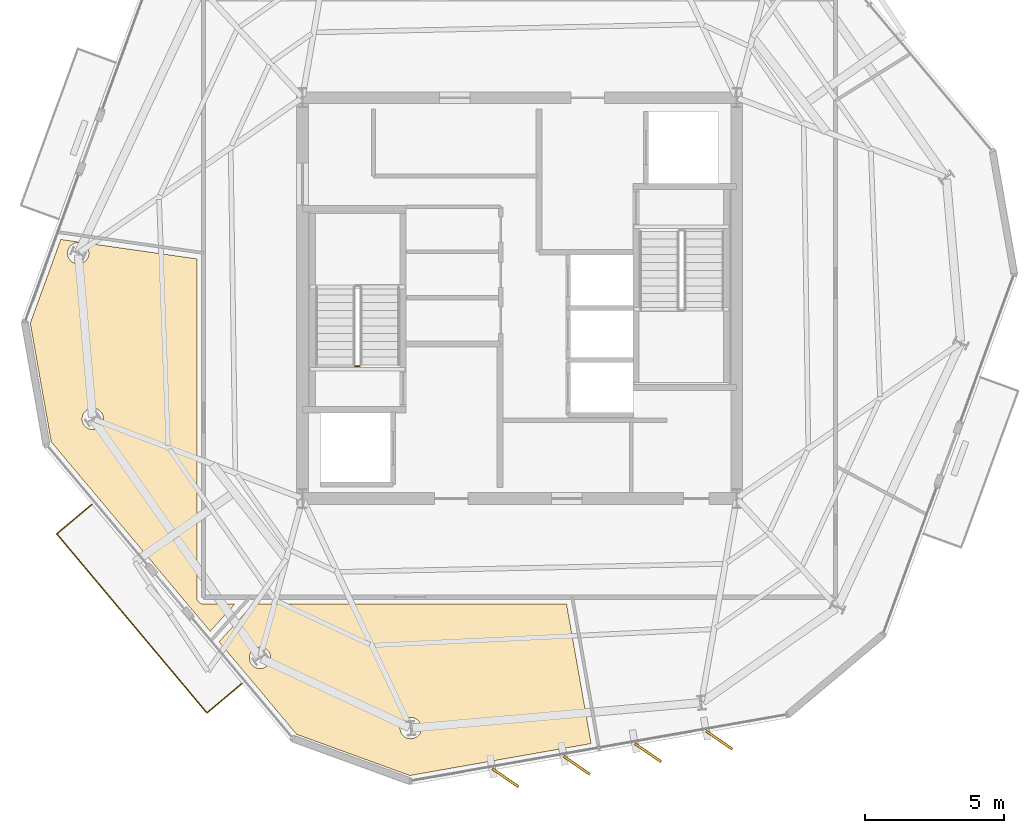
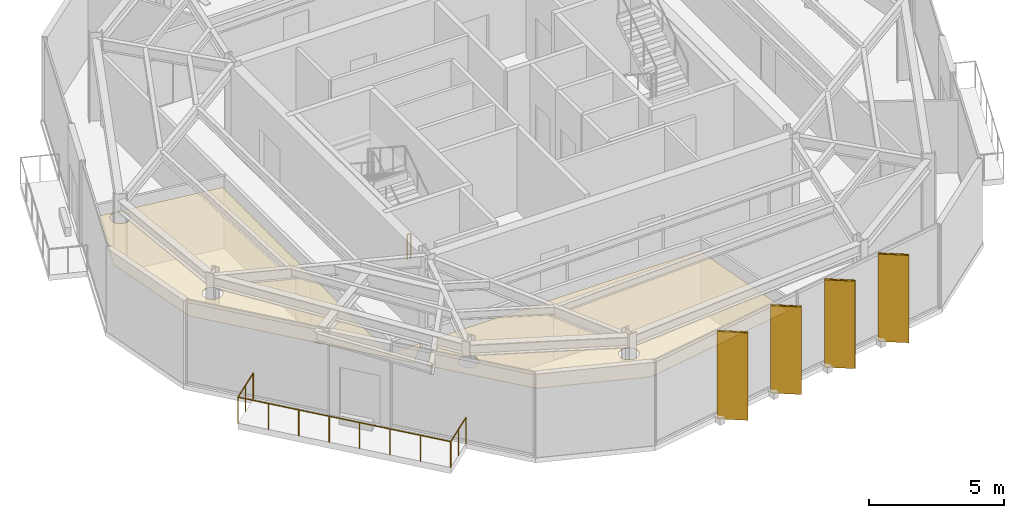
# One storey, part 9 of 11: 6 coverings, 4 shading devices, 2 railings.
"""IFC4 building model written with IfcOpenShell, lengths in metres."""

from ifc_helpers import new_model, si_unit, direction, frame, origin, origin_2d, place, context, subcontext, project, spatial, polyline, rectangle, circle, outline, extrude, material, layer, layer_set, type_object, element, save


model = new_model("IFC4")

# Units and contexts
model_context = context("Model", 3, precision=1e-05, world=origin(), true_north=direction((0.0, 1.0)))
body_context = subcontext(model_context, "Body", "Model", "MODEL_VIEW")
ifc_project = project(units=[si_unit("LENGTHUNIT", "METRE"), si_unit("AREAUNIT", "SQUARE_METRE"), si_unit("VOLUMEUNIT", "CUBIC_METRE"), si_unit("PLANEANGLEUNIT", "RADIAN"), si_unit("MASSUNIT", "GRAM", prefix="KILO")], contexts=[model_context])

# Site, building, storey
site_placement = place(None, origin())
site = spatial("IfcSite", under=ifc_project, at=site_placement, CompositionType="ELEMENT")
building_placement = place(site_placement, origin())
building = spatial("IfcBuilding", under=site, at=building_placement, Name="Kranzbogen Civic Tower", CompositionType="ELEMENT")
storey_placement = place(building_placement, frame((0.0, 0.0, 306.199951171875)))
storey = spatial("IfcBuildingStorey", under=building, at=storey_placement, Name="L74", CompositionType="ELEMENT", Elevation=306.199951171875)

# Coverings
ifc_material_1 = material(Name="Pale Anodised Aluminium", Category="aluminium")
ifc_layer_1 = layer(ifc_material_1, 0.02490234375, Name="Pale Anodised Aluminium")
ifc_layer_set_1 = layer_set([ifc_layer_1], Name="Pale Anodised Aluminium")
covering_type_1 = type_object("IfcCoveringType", Name="Anodised Aluminium Vertical Fin Cladding 25 mm", PredefinedType="CLADDING", material=ifc_layer_set_1)
for number, where, z_axis, x_axis, name in (
    (1, (24.4951171875, 7.762939453125, -0.139892578125), (0.0, 0.0, 1.0), (0.822838933425, -0.568274660389, 0.0), "L74 vertical fin pale-metal cladding F4-1"),
    (2, (27.054931640625, 8.214111328125, -0.139892578125), (0.0, 0.0, 1.0), (0.822838933425, -0.568274660389, 0.0), "L74 vertical fin pale-metal cladding F4-2"),
    (3, (29.615966796875, 8.666015625, -0.139892578125), (0.0, 0.0, 1.0), (0.822838933425, -0.568274660389, 0.0), "L74 vertical fin pale-metal cladding F4-3"),
    (4, (32.176025390625, 9.116943359375, -0.139892578125), (0.0, 0.0, 1.0), (0.822838933425, -0.568274660389, 0.0), "L74 vertical fin pale-metal cladding F4-4"),
):
    element("IfcCovering", number, at=place(storey_placement, frame(where, z_axis=z_axis, x_axis=x_axis)), inside=storey, type_object=covering_type_1, Name=name, PredefinedType="CLADDING", context=body_context, shape_type="SweptSolid", body=[
        extrude(rectangle(XDim=1.14990234375, YDim=0.094970703125, at=origin_2d()), origin(), (0.0, 0.0, 1.0), 3.9599609375),
    ])

# Railings
ifc_material_2 = material(Name="Anodised Bronze Aluminium", Category="aluminium")
railing_type_1 = type_object("IfcRailingType", Name="Cantilevered Balcony Glass and Bronze Balustrade 1200", PredefinedType="BALUSTRADE", material=ifc_material_2)
railing_1_placement = place(storey_placement, frame((9.635009765625, 17.590087890625, 0.0)))
element("IfcRailing", 5, at=railing_1_placement, inside=storey, type_object=railing_type_1, Name="L74 exterior terrace balustrade L74-ST", PredefinedType="BALUSTRADE", context=body_context, shape_type="SweptSolid", body=[
    extrude(circle(Radius=0.02392578125, at=origin_2d()), frame((0.0, 0.0, 1.17578125), z_axis=(-0.765900097401, -0.642959594998, 0.0), x_axis=(0.642959594998, -0.765900097401, 0.0)), (0.0, 0.0, 1.0), 1.650146484375),
    extrude(circle(Radius=0.02392578125, at=origin_2d()), frame((-1.263916015625, -1.06103515625, 1.17578125), z_axis=(0.642736644006, -0.766087205513, 0.0), x_axis=(0.766087205513, 0.642736644006, 0.0)), (0.0, 0.0, 1.0), 8.39990234375),
    extrude(circle(Radius=0.02392578125, at=origin_2d()), frame((4.135009765625, -7.49609375, 1.17578125), z_axis=(0.765900097401, 0.642959594998, 0.0), x_axis=(-0.642959594998, 0.765900097401, 0.0)), (0.0, 0.0, 1.0), 1.650146484375),
    extrude(circle(Radius=0.02099609375, at=origin_2d()), origin(), (0.0, 0.0, 1.0), 1.15185546875),
    extrude(circle(Radius=0.02099609375, at=origin_2d()), frame((-0.6318359375, -0.530517578125, 0.0)), (0.0, 0.0, 1.0), 1.15185546875),
    extrude(circle(Radius=0.02099609375, at=origin_2d()), frame((-1.263916015625, -1.06103515625, 0.0)), (0.0, 0.0, 1.0), 1.15185546875),
    extrude(circle(Radius=0.02099609375, at=origin_2d()), frame((-0.49267578125, -1.980224609375, 0.0)), (0.0, 0.0, 1.0), 1.15185546875),
    extrude(circle(Radius=0.02099609375, at=origin_2d()), frame((0.278564453125, -2.899658203125, 0.0)), (0.0, 0.0, 1.0), 1.15185546875),
    extrude(circle(Radius=0.02099609375, at=origin_2d()), frame((1.0498046875, -3.81884765625, 0.0)), (0.0, 0.0, 1.0), 1.15185546875),
    extrude(circle(Radius=0.02099609375, at=origin_2d()), frame((1.8212890625, -4.73828125, 0.0)), (0.0, 0.0, 1.0), 1.15185546875),
    extrude(circle(Radius=0.02099609375, at=origin_2d()), frame((2.592529296875, -5.657470703125, 0.0)), (0.0, 0.0, 1.0), 1.15185546875),
    extrude(circle(Radius=0.02099609375, at=origin_2d()), frame((3.36376953125, -6.576904296875, 0.0)), (0.0, 0.0, 1.0), 1.15185546875),
    extrude(circle(Radius=0.02099609375, at=origin_2d()), frame((4.135009765625, -7.49609375, 0.0)), (0.0, 0.0, 1.0), 1.15185546875),
    extrude(circle(Radius=0.02099609375, at=origin_2d()), frame((4.76708984375, -6.965576171875, 0.0)), (0.0, 0.0, 1.0), 1.15185546875),
    extrude(circle(Radius=0.02099609375, at=origin_2d()), frame((5.39892578125, -6.43505859375, 0.0)), (0.0, 0.0, 1.0), 1.15185546875),
])
ifc_material_3 = material(Name="Steel S355", Category="steel")
railing_type_2 = type_object("IfcRailingType", Name="Internal Stair and Void Steel Guardrail 1150", PredefinedType="GUARDRAIL", material=ifc_material_3)
railing_2_placement = place(storey_placement, frame((19.25, 22.550048828125, 0.0)))
element("IfcRailing", 6, at=railing_2_placement, inside=storey, type_object=railing_type_2, Name="L74 ST-T1 stair guard 4", PredefinedType="GUARDRAIL", context=body_context, shape_type="SweptSolid", body=[
    extrude(circle(Radius=0.02392578125, at=origin_2d()), frame((0.0, 0.0, 1.1259765625), z_axis=(-1.0, 0.0, 0.0), x_axis=(0.0, -1.0, 0.0)), (0.0, 0.0, 1.0), 0.14990234375),
    extrude(circle(Radius=0.02099609375, at=origin_2d()), origin(), (0.0, 0.0, 1.0), 1.101806640625),
    extrude(circle(Radius=0.02099609375, at=origin_2d()), frame((-0.14990234375, 0.0, 0.0)), (0.0, 0.0, 1.0), 1.101806640625),
])

# Shading devices
shading_device_type = type_object("IfcShadingDeviceType", Name="Pale Anodised Aluminium Crown Fin 1150x75", PredefinedType="USERDEFINED", material=ifc_material_1)
for number, where, z_axis, x_axis, name in (
    (7, (24.4951171875, 7.762939453125, -0.139892578125), (0.0, 0.0, 1.0), (0.822838933425, -0.568274660389, 0.0), "L74 vertical exterior shading fin F4-1"),
    (8, (27.054931640625, 8.214111328125, -0.139892578125), (0.0, 0.0, 1.0), (0.822838933425, -0.568274660389, 0.0), "L74 vertical exterior shading fin F4-2"),
    (9, (29.615966796875, 8.666015625, -0.139892578125), (0.0, 0.0, 1.0), (0.822838933425, -0.568274660389, 0.0), "L74 vertical exterior shading fin F4-3"),
    (10, (32.176025390625, 9.116943359375, -0.139892578125), (0.0, 0.0, 1.0), (0.822838933425, -0.568274660389, 0.0), "L74 vertical exterior shading fin F4-4"),
):
    element("IfcShadingDevice", number, at=place(storey_placement, frame(where, z_axis=z_axis, x_axis=x_axis)), inside=storey, type_object=shading_device_type, Name=name, ObjectType="FIN", PredefinedType="USERDEFINED", context=body_context, shape_type="SweptSolid", body=[
        extrude(rectangle(XDim=1.14990234375, YDim=0.074951171875, at=origin_2d()), origin(), (0.0, 0.0, 1.0), 3.9599609375),
    ])

# Coverings
ifc_material_4 = material(Name="Perforated Acoustic Gypsum Ceiling")
ifc_layer_2 = layer(ifc_material_4, 0.02490234375, Name="Perforated Acoustic Gypsum Ceiling")
ifc_layer_set_2 = layer_set([ifc_layer_2], Name="Perforated Acoustic Gypsum Ceiling")
covering_type_2 = type_object("IfcCoveringType", Name="Perforated Acoustic Mineral Ceiling Tile 25 mm", PredefinedType="CEILING", material=ifc_layer_set_2)
covering_1_placement = place(storey_placement, frame((0.0, 0.0, 2.900146484375)))
element("IfcCovering", 11, at=covering_1_placement, inside=storey, type_object=covering_type_2, Name="L74 Public Delegation Reception acoustic ceiling", PredefinedType="CEILING", context=body_context, shape_type="SweptSolid", body=[
    extrude(outline(polyline([(7.422119140625, 24.096923828125), (8.51806640625, 27.10791015625), (13.405029296875, 26.409912109375), (13.405029296875, 14.25), (13.405029296875, 14.240966796875), (13.406005859375, 14.235107421875), (13.406982421875, 14.217041015625), (13.407958984375, 14.2109375), (13.412109375, 14.194091796875), (13.4130859375, 14.18701171875), (13.41796875, 14.169921875), (13.419921875, 14.1640625), (13.427001953125, 14.14794921875), (13.429931640625, 14.14208984375), (13.43798828125, 14.126953125), (13.44189453125, 14.12109375), (13.450927734375, 14.10693359375), (13.455078125, 14.10205078125), (13.466064453125, 14.087890625), (13.470947265625, 14.0830078125), (13.48291015625, 14.071044921875), (13.488037109375, 14.06591796875), (13.501953125, 14.054931640625), (13.507080078125, 14.051025390625), (13.52099609375, 14.0419921875), (13.527099609375, 14.0380859375), (13.5419921875, 14.030029296875), (13.548095703125, 14.027099609375), (13.56396484375, 14.02001953125), (13.570068359375, 14.01806640625), (13.5869140625, 14.012939453125), (13.593994140625, 14.011962890625), (13.611083984375, 14.008056640625), (13.616943359375, 14.007080078125), (13.635009765625, 14.006103515625), (13.64111328125, 14.0048828125), (13.64990234375, 14.0048828125), (14.76611328125, 14.0048828125), (13.886962890625, 13.028076171875), (8.174072265625, 19.8369140625), (7.422119140625, 24.096923828125)]), holes=[polyline([(10.02001953125, 20.513916015625), (10.00390625, 20.47998046875), (9.985107421875, 20.447998046875), (9.9619140625, 20.41796875), (9.93701171875, 20.389892578125), (9.908935546875, 20.364990234375), (9.87890625, 20.342041015625), (9.846923828125, 20.322998046875), (9.81298828125, 20.306884765625), (9.777099609375, 20.2939453125), (9.740966796875, 20.284912109375), (9.7041015625, 20.279052734375), (9.666015625, 20.278076171875), (9.6279296875, 20.279052734375), (9.591064453125, 20.284912109375), (9.554931640625, 20.2939453125), (9.51904296875, 20.306884765625), (9.485107421875, 20.322998046875), (9.452880859375, 20.342041015625), (9.423095703125, 20.364990234375), (9.39501953125, 20.389892578125), (9.3701171875, 20.41796875), (9.346923828125, 20.447998046875), (9.327880859375, 20.47998046875), (9.31201171875, 20.513916015625), (9.299072265625, 20.550048828125), (9.2900390625, 20.5859375), (9.283935546875, 20.623046875), (9.282958984375, 20.660888671875), (9.283935546875, 20.698974609375), (9.2900390625, 20.736083984375), (9.299072265625, 20.77197265625), (9.31201171875, 20.80810546875), (9.327880859375, 20.842041015625), (9.346923828125, 20.8740234375), (9.3701171875, 20.904052734375), (9.39501953125, 20.931884765625), (9.423095703125, 20.95703125), (9.452880859375, 20.97998046875), (9.485107421875, 20.9990234375), (9.51904296875, 21.014892578125), (9.554931640625, 21.028076171875), (9.591064453125, 21.037109375), (9.6279296875, 21.04296875), (9.666015625, 21.0439453125), (9.7041015625, 21.04296875), (9.740966796875, 21.037109375), (9.777099609375, 21.028076171875), (9.81298828125, 21.014892578125), (9.846923828125, 20.9990234375), (9.87890625, 20.97998046875), (9.908935546875, 20.95703125), (9.93701171875, 20.931884765625), (9.9619140625, 20.904052734375), (9.985107421875, 20.8740234375), (10.00390625, 20.842041015625), (10.02001953125, 20.80810546875), (10.032958984375, 20.77197265625), (10.0419921875, 20.736083984375), (10.048095703125, 20.698974609375), (10.049072265625, 20.660888671875), (10.048095703125, 20.623046875), (10.0419921875, 20.5859375), (10.032958984375, 20.550048828125), (10.02001953125, 20.513916015625)]), polyline([(9.4990234375, 26.462890625), (9.48291015625, 26.428955078125), (9.464111328125, 26.39697265625), (9.44091796875, 26.366943359375), (9.416015625, 26.339111328125), (9.387939453125, 26.31396484375), (9.35791015625, 26.291015625), (9.325927734375, 26.27197265625), (9.2919921875, 26.256103515625), (9.256103515625, 26.242919921875), (9.219970703125, 26.23388671875), (9.18310546875, 26.22802734375), (9.14501953125, 26.22705078125), (9.10693359375, 26.22802734375), (9.070068359375, 26.23388671875), (9.033935546875, 26.242919921875), (8.998046875, 26.256103515625), (8.964111328125, 26.27197265625), (8.931884765625, 26.291015625), (8.902099609375, 26.31396484375), (8.8740234375, 26.339111328125), (8.84912109375, 26.366943359375), (8.825927734375, 26.39697265625), (8.806884765625, 26.428955078125), (8.791015625, 26.462890625), (8.778076171875, 26.4990234375), (8.76904296875, 26.534912109375), (8.762939453125, 26.572021484375), (8.761962890625, 26.610107421875), (8.762939453125, 26.64794921875), (8.76904296875, 26.68505859375), (8.778076171875, 26.720947265625), (8.791015625, 26.757080078125), (8.806884765625, 26.791015625), (8.825927734375, 26.822998046875), (8.84912109375, 26.85302734375), (8.8740234375, 26.881103515625), (8.902099609375, 26.906005859375), (8.931884765625, 26.928955078125), (8.964111328125, 26.947998046875), (8.998046875, 26.964111328125), (9.033935546875, 26.97705078125), (9.070068359375, 26.986083984375), (9.10693359375, 26.991943359375), (9.14501953125, 26.992919921875), (9.18310546875, 26.991943359375), (9.219970703125, 26.986083984375), (9.256103515625, 26.97705078125), (9.2919921875, 26.964111328125), (9.325927734375, 26.947998046875), (9.35791015625, 26.928955078125), (9.387939453125, 26.906005859375), (9.416015625, 26.881103515625), (9.44091796875, 26.85302734375), (9.464111328125, 26.822998046875), (9.48291015625, 26.791015625), (9.4990234375, 26.757080078125), (9.511962890625, 26.720947265625), (9.52099609375, 26.68505859375), (9.527099609375, 26.64794921875), (9.528076171875, 26.610107421875), (9.527099609375, 26.572021484375), (9.52099609375, 26.534912109375), (9.511962890625, 26.4990234375), (9.4990234375, 26.462890625)])]), origin(), (0.0, 0.0, 1.0), 0.02490234375),
])
covering_2_placement = place(storey_placement, frame((0.0, 0.0, 2.900146484375)))
element("IfcCovering", 12, at=covering_2_placement, inside=storey, type_object=covering_type_2, Name="L74 Visitor Concierge Foyer acoustic ceiling", PredefinedType="CEILING", context=body_context, shape_type="SweptSolid", body=[
    extrude(outline(polyline([(16.992919921875, 9.325927734375), (14.205078125, 12.64892578125), (15.426025390625, 14.0048828125), (26.68994140625, 14.0048828125), (27.572998046875, 8.9951171875), (21.05810546875, 7.845947265625), (16.992919921875, 9.325927734375)]), holes=[polyline([(21.445068359375, 9.403076171875), (21.428955078125, 9.368896484375), (21.409912109375, 9.3369140625), (21.386962890625, 9.306884765625), (21.362060546875, 9.279052734375), (21.333984375, 9.25390625), (21.303955078125, 9.23095703125), (21.27197265625, 9.2119140625), (21.238037109375, 9.196044921875), (21.201904296875, 9.18310546875), (21.166015625, 9.174072265625), (21.12890625, 9.16796875), (21.091064453125, 9.1669921875), (21.052978515625, 9.16796875), (21.01611328125, 9.174072265625), (20.97998046875, 9.18310546875), (20.944091796875, 9.196044921875), (20.909912109375, 9.2119140625), (20.8779296875, 9.23095703125), (20.847900390625, 9.25390625), (20.820068359375, 9.279052734375), (20.794921875, 9.306884765625), (20.77197265625, 9.3369140625), (20.7529296875, 9.368896484375), (20.737060546875, 9.403076171875), (20.72412109375, 9.43896484375), (20.715087890625, 9.47509765625), (20.708984375, 9.511962890625), (20.7080078125, 9.550048828125), (20.708984375, 9.587890625), (20.715087890625, 9.625), (20.72412109375, 9.660888671875), (20.737060546875, 9.697021484375), (20.7529296875, 9.73095703125), (20.77197265625, 9.762939453125), (20.794921875, 9.79296875), (20.820068359375, 9.821044921875), (20.847900390625, 9.845947265625), (20.8779296875, 9.868896484375), (20.909912109375, 9.887939453125), (20.944091796875, 9.904052734375), (20.97998046875, 9.9169921875), (21.01611328125, 9.926025390625), (21.052978515625, 9.931884765625), (21.091064453125, 9.93310546875), (21.12890625, 9.931884765625), (21.166015625, 9.926025390625), (21.201904296875, 9.9169921875), (21.238037109375, 9.904052734375), (21.27197265625, 9.887939453125), (21.303955078125, 9.868896484375), (21.333984375, 9.845947265625), (21.362060546875, 9.821044921875), (21.386962890625, 9.79296875), (21.409912109375, 9.762939453125), (21.428955078125, 9.73095703125), (21.445068359375, 9.697021484375), (21.4580078125, 9.660888671875), (21.467041015625, 9.625), (21.472900390625, 9.587890625), (21.47412109375, 9.550048828125), (21.472900390625, 9.511962890625), (21.467041015625, 9.47509765625), (21.4580078125, 9.43896484375), (21.445068359375, 9.403076171875)]), polyline([(16.031982421875, 11.927001953125), (16.01611328125, 11.89306640625), (15.9970703125, 11.861083984375), (15.97412109375, 11.8310546875), (15.948974609375, 11.802978515625), (15.9208984375, 11.778076171875), (15.89111328125, 11.7548828125), (15.85888671875, 11.736083984375), (15.824951171875, 11.719970703125), (15.7890625, 11.70703125), (15.7529296875, 11.697998046875), (15.716064453125, 11.69189453125), (15.677978515625, 11.69091796875), (15.639892578125, 11.69189453125), (15.60302734375, 11.697998046875), (15.56689453125, 11.70703125), (15.531005859375, 11.719970703125), (15.4970703125, 11.736083984375), (15.465087890625, 11.7548828125), (15.43505859375, 11.778076171875), (15.406982421875, 11.802978515625), (15.382080078125, 11.8310546875), (15.35888671875, 11.861083984375), (15.340087890625, 11.89306640625), (15.323974609375, 11.927001953125), (15.31103515625, 11.962890625), (15.302001953125, 11.9990234375), (15.2958984375, 12.035888671875), (15.294921875, 12.073974609375), (15.2958984375, 12.112060546875), (15.302001953125, 12.14892578125), (15.31103515625, 12.18505859375), (15.323974609375, 12.220947265625), (15.340087890625, 12.2548828125), (15.35888671875, 12.287109375), (15.382080078125, 12.31689453125), (15.406982421875, 12.344970703125), (15.43505859375, 12.3701171875), (15.465087890625, 12.39306640625), (15.4970703125, 12.412109375), (15.531005859375, 12.427978515625), (15.56689453125, 12.44091796875), (15.60302734375, 12.449951171875), (15.639892578125, 12.4560546875), (15.677978515625, 12.45703125), (15.716064453125, 12.4560546875), (15.7529296875, 12.449951171875), (15.7890625, 12.44091796875), (15.824951171875, 12.427978515625), (15.85888671875, 12.412109375), (15.89111328125, 12.39306640625), (15.9208984375, 12.3701171875), (15.948974609375, 12.344970703125), (15.97412109375, 12.31689453125), (15.9970703125, 12.287109375), (16.01611328125, 12.2548828125), (16.031982421875, 12.220947265625), (16.044921875, 12.18505859375), (16.053955078125, 12.14892578125), (16.06005859375, 12.112060546875), (16.06103515625, 12.073974609375), (16.06005859375, 12.035888671875), (16.053955078125, 11.9990234375), (16.044921875, 11.962890625), (16.031982421875, 11.927001953125)])]), origin(), (0.0, 0.0, 1.0), 0.02490234375),
])

save(model, "model.ifc")
